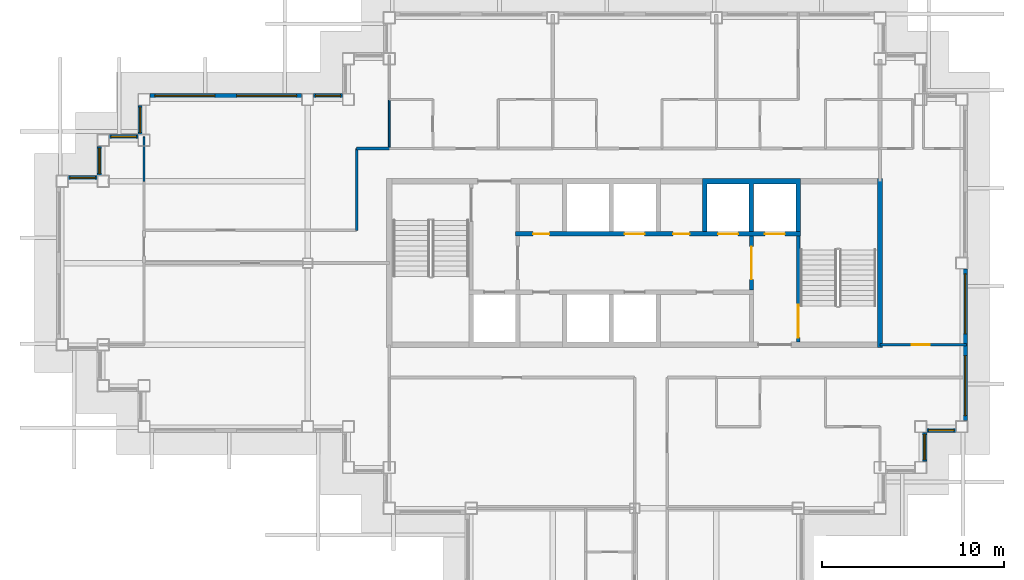
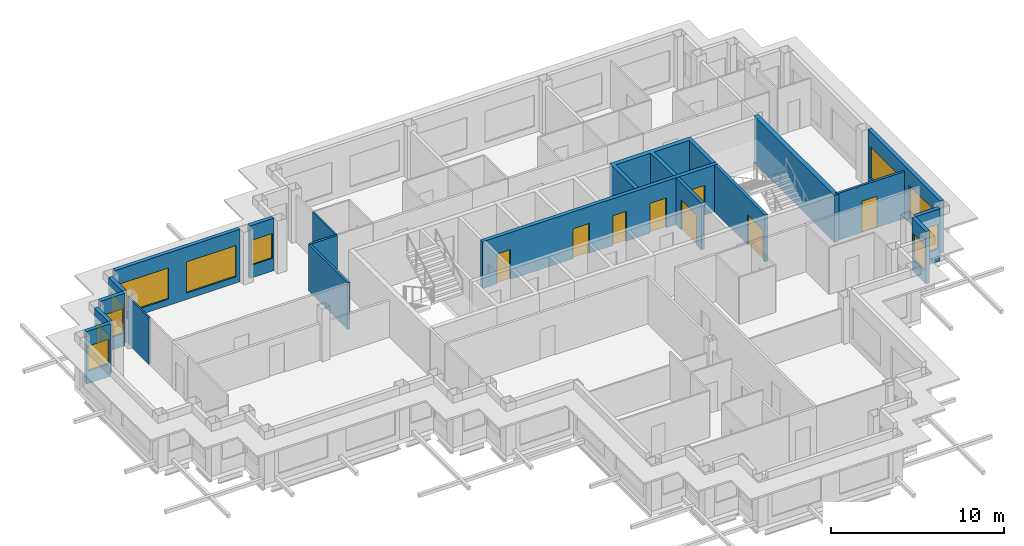
# One storey, part 5 of 11: 19 walls, 11 windows, 8 doors, 19 openings.
"""IFC4 building model written with IfcOpenShell, lengths in metres."""

from ifc_helpers import new_model, si_unit, direction, frame, frame_2d, origin, place, context, subcontext, project, spatial, polyline, rectangle, outline, extrude, material, layer, layer_set, type_object, element, fill, save


model = new_model("IFC4")

# Units and contexts
model_context = context("Model", 3, precision=1e-05, world=origin(), true_north=direction((0.0, 1.0)))
body_context = subcontext(model_context, "Body", "Model", "MODEL_VIEW")
ifc_project = project(units=[si_unit("LENGTHUNIT", "METRE"), si_unit("AREAUNIT", "SQUARE_METRE"), si_unit("VOLUMEUNIT", "CUBIC_METRE"), si_unit("PLANEANGLEUNIT", "RADIAN"), si_unit("MASSUNIT", "GRAM", prefix="KILO")], contexts=[model_context])

# Site, building, storey
site_placement = place(None, origin())
site = spatial("IfcSite", under=ifc_project, at=site_placement, CompositionType="ELEMENT")
building_placement = place(site_placement, origin())
building = spatial("IfcBuilding", under=site, at=building_placement, Name="Caravel Reach Hotel and Residences", CompositionType="ELEMENT")
storey_placement = place(building_placement, frame((0.0, 0.0, 229.39990234375)))
storey = spatial("IfcBuildingStorey", under=building, at=storey_placement, Name="L58", CompositionType="ELEMENT", Elevation=229.39990234375)

# Walls
ifc_material_1 = material(Name="Gypsum board on steel stud", Category="steel")
ifc_layer_1 = layer(ifc_material_1, 0.10009765625)
ifc_layer_set_1 = layer_set([ifc_layer_1], Name="Bathroom pod wall 100 mm")
wall_type_1 = type_object("IfcWallType", Name="Bathroom pod wall 100 mm", PredefinedType="PARTITIONING", material=ifc_layer_set_1)
wall_1_placement = place(storey_placement, frame((18.0, 33.301025390625, 0.0), z_axis=(0.0, 0.0, 1.0), x_axis=(0.0, 1.0, 0.0)))
element("IfcWall", 1, at=wall_1_placement, inside=storey, type_object=wall_type_1, Name="L58 wall w073", PredefinedType="PARTITIONING", context=body_context, shape_type="SweptSolid", body=[
    extrude(rectangle(XDim=2.698974609375, YDim=0.10009765625, at=frame_2d((1.349609375, 0.0))), origin(), (0.0, 0.0, 1.0), 3.300048828125),
])
ifc_material_2 = material(Name="Concrete C60", Category="concrete")
ifc_layer_2 = layer(ifc_material_2, 0.300048828125)
ifc_layer_set_2 = layer_set([ifc_layer_2], Name="Core wall 300 mm EI 120")
wall_type_2 = type_object("IfcWallType", Name="Core wall 300 mm EI 120", PredefinedType="SHEAR", material=ifc_layer_set_2)
wall_2_placement = place(storey_placement, frame((45.0, 22.35009765625, 0.0), z_axis=(0.0, 0.0, 1.0), x_axis=(0.0, 1.0, 0.0)))
element("IfcWall", 2, at=wall_2_placement, inside=storey, type_object=wall_type_2, Name="L58 core wall E", PredefinedType="SHEAR", context=body_context, shape_type="SweptSolid", body=[
    extrude(rectangle(XDim=9.2998046875, YDim=0.300048828125, at=frame_2d((4.64990234375, 0.0))), origin(), (0.0, 0.0, 1.0), 3.300048828125),
])

# Wall, opening, door
ifc_material_3 = material(Name="Gypsum board on steel stud, fire-rated", Category="steel")
ifc_layer_3 = layer(ifc_material_3, 0.14990234375)
ifc_layer_set_3 = layer_set([ifc_layer_3], Name="Corridor wall 150 mm EI 60")
wall_type_3 = type_object("IfcWallType", Name="Corridor wall 150 mm EI 60", PredefinedType="PARTITIONING", material=ifc_layer_set_3)
wall_3_placement = place(storey_placement, frame((45.0, 22.5, 0.0), z_axis=(0.0, 0.0, 1.0), x_axis=(1.0, 0.0, 0.0)))
wall_3 = element("IfcWall", 3, at=wall_3_placement, inside=storey, type_object=wall_type_3, Name="L58 wall w006", PredefinedType="PARTITIONING", context=body_context, shape_type="SweptSolid", body=[
    extrude(rectangle(XDim=4.764892578125, YDim=0.14990234375, at=frame_2d((2.38232421875, 0.0))), origin(), (0.0, 0.0, 1.0), 3.300048828125),
])
opening_1_placement = place(wall_3_placement, frame((1.75, 0.0, 0.0)))
opening_1 = element("IfcOpeningElement", 4, at=opening_1_placement, cuts=wall_3, Name="Opening D58-038", PredefinedType="OPENING", context=body_context, shape_type="SweptSolid", body=[
    extrude(rectangle(XDim=1.0, YDim=2.199951171875, at=frame_2d((0.5, 1.10009765625))), frame((0.0, 0.0849609375, 0.0), z_axis=(0.0, -1.0, 0.0), x_axis=(1.0, 0.0, 0.0)), (0.0, 0.0, 1.0), 0.169921875),
])
ifc_material_4 = material(Name="Steel fire door leaf", Category="steel")
door_type_1 = type_object("IfcDoorType", Name="Flat entrance door 1000 x 2200 EI 60", OperationType="SINGLE_SWING_LEFT", PredefinedType="DOOR", material=ifc_material_4)
door_1_placement = place(opening_1_placement, origin())
door_1 = element("IfcDoor", 5, at=door_1_placement, inside=storey, type_object=door_type_1, Name="door D58-038", OperationType="SINGLE_SWING_LEFT", OverallHeight=2.199951171875, OverallWidth=1.0, PredefinedType="DOOR", context=body_context, shape_type="SweptSolid", body=[
    extrude(rectangle(XDim=1.0, YDim=2.199951171875, at=frame_2d((0.5, 1.10009765625))), frame((0.0, 0.02490234375, 0.0), z_axis=(0.0, -1.0, 0.0), x_axis=(1.0, 0.0, 0.0)), (0.0, 0.0, 1.0), 0.050048828125),
])
fill(opening_1, door_1)

# Walls
wall_4_placement = place(storey_placement, frame((16.199951171875, 33.300048828125, 0.0), z_axis=(0.0, 0.0, 1.0), x_axis=(1.0, 0.0, 0.0)))
element("IfcWall", 6, at=wall_4_placement, inside=storey, type_object=wall_type_3, Name="L58 wall w016", PredefinedType="PARTITIONING", context=body_context, shape_type="SweptSolid", body=[
    extrude(rectangle(XDim=1.799072265625, YDim=0.14990234375, at=frame_2d((0.8994140625, 0.0))), origin(), (0.0, 0.0, 1.0), 3.300048828125),
])
wall_5_placement = place(storey_placement, frame((16.199951171875, 28.801025390625, 0.0), z_axis=(0.0, 0.0, 1.0), x_axis=(0.0, 1.0, 0.0)))
element("IfcWall", 7, at=wall_5_placement, inside=storey, type_object=wall_type_3, Name="L58 wall w018", PredefinedType="PARTITIONING", context=body_context, shape_type="SweptSolid", body=[
    extrude(rectangle(XDim=4.4990234375, YDim=0.14990234375, at=frame_2d((2.24951171875, 0.0))), origin(), (0.0, 0.0, 1.0), 3.300048828125),
])

# Wall, opening, window
ifc_material_5 = material(Name="Insulated rainscreen wall, aluminium cladding", Category="aluminium")
ifc_layer_4 = layer(ifc_material_5, 0.25)
ifc_layer_set_4 = layer_set([ifc_layer_4], Name="EW1 Tower rainscreen wall")
wall_type_4 = type_object("IfcWallType", Name="EW1 Tower rainscreen wall", PredefinedType="SOLIDWALL", material=ifc_layer_set_4)
wall_6_placement = place(storey_placement, frame((47.449951171875, 16.074951171875, 0.0), z_axis=(0.0, 0.0, 1.0), x_axis=(0.0, 1.0, 0.0)))
wall_6 = element("IfcWall", 8, at=wall_6_placement, inside=storey, type_object=wall_type_4, Name="External wall L58 E4.1", PredefinedType="SOLIDWALL", context=body_context, shape_type="SweptSolid", body=[
    extrude(rectangle(XDim=1.60009765625, YDim=0.25, at=frame_2d((0.800048828125, 0.0))), origin(), (0.0, 0.0, 1.0), 3.7001953125),
])
opening_2_placement = place(wall_6_placement, frame((0.10009765625, 0.0, 0.89990234375)))
opening_2 = element("IfcOpeningElement", 9, at=opening_2_placement, cuts=wall_6, Name="Opening WN24", PredefinedType="OPENING", context=body_context, shape_type="SweptSolid", body=[
    extrude(rectangle(XDim=1.39990234375, YDim=1.75, at=frame_2d((0.699951171875, 0.875))), frame((0.0, 0.135009765625, 0.0), z_axis=(0.0, -1.0, 0.0), x_axis=(1.0, 0.0, 0.0)), (0.0, 0.0, 1.0), 0.27001953125),
])
ifc_material_6 = material(Name="Dark low-e glazing in black aluminium frame", Category="aluminium")
window_type_1 = type_object("IfcWindowType", Name="Residence bedroom window 1400 x 1750", PartitioningType="SINGLE_PANEL", PredefinedType="WINDOW", material=ifc_material_6)
window_1_placement = place(opening_2_placement, origin())
window_1 = element("IfcWindow", 10, at=window_1_placement, inside=storey, type_object=window_type_1, Name="Window L58 E4.1.1", OverallHeight=1.75, OverallWidth=1.39990234375, PartitioningType="SINGLE_PANEL", PredefinedType="WINDOW", context=body_context, shape_type="SweptSolid", body=[
    extrude(rectangle(XDim=1.39990234375, YDim=1.75, at=frame_2d((0.699951171875, 0.875))), frame((0.0, 0.030029296875, 0.0), z_axis=(0.0, -1.0, 0.0), x_axis=(1.0, 0.0, 0.0)), (0.0, 0.0, 1.0), 0.06005859375),
])
fill(opening_2, window_1)

wall_7_placement = place(storey_placement, frame((47.574951171875, 17.800048828125, 0.0), z_axis=(0.0, 0.0, 1.0), x_axis=(1.0, 0.0, 0.0)))
wall_7 = element("IfcWall", 11, at=wall_7_placement, inside=storey, type_object=wall_type_4, Name="External wall L58 S5.1", PredefinedType="SOLIDWALL", context=body_context, shape_type="SweptSolid", body=[
    extrude(rectangle(XDim=1.60009765625, YDim=0.25, at=frame_2d((0.800048828125, 0.0))), origin(), (0.0, 0.0, 1.0), 3.7001953125),
])
opening_3_placement = place(wall_7_placement, frame((0.10009765625, 0.0, 0.89990234375)))
opening_3 = element("IfcOpeningElement", 12, at=opening_3_placement, cuts=wall_7, Name="Opening WN24", PredefinedType="OPENING", context=body_context, shape_type="SweptSolid", body=[
    extrude(rectangle(XDim=1.39990234375, YDim=1.75, at=frame_2d((0.699951171875, 0.875))), frame((0.0, 0.135009765625, 0.0), z_axis=(0.0, -1.0, 0.0), x_axis=(1.0, 0.0, 0.0)), (0.0, 0.0, 1.0), 0.27001953125),
])
window_2_placement = place(opening_3_placement, origin())
window_2 = element("IfcWindow", 13, at=window_2_placement, inside=storey, type_object=window_type_1, Name="Window L58 S5.1.1", OverallHeight=1.75, OverallWidth=1.39990234375, PartitioningType="SINGLE_PANEL", PredefinedType="WINDOW", context=body_context, shape_type="SweptSolid", body=[
    extrude(rectangle(XDim=1.39990234375, YDim=1.75, at=frame_2d((0.699951171875, 0.875))), frame((0.0, 0.030029296875, 0.0), z_axis=(0.0, -1.0, 0.0), x_axis=(1.0, 0.0, 0.0)), (0.0, 0.0, 1.0), 0.06005859375),
])
fill(opening_3, window_2)

# Wall, openings, windows
wall_8_placement = place(storey_placement, frame((49.699951171875, 18.324951171875, 0.0), z_axis=(0.0, 0.0, 1.0), x_axis=(0.0, 1.0, 0.0)))
wall_8 = element("IfcWall", 14, at=wall_8_placement, inside=storey, type_object=wall_type_4, Name="External wall L58 E6.1", PredefinedType="SOLIDWALL", context=body_context, shape_type="SweptSolid", body=[
    extrude(rectangle(XDim=8.35009765625, YDim=0.25, at=frame_2d((4.175048828125, 0.0))), origin(), (0.0, 0.0, 1.0), 3.7001953125),
])
opening_4_placement = place(wall_8_placement, frame((0.27490234375, 0.0, 0.449951171875)))
opening_4 = element("IfcOpeningElement", 15, at=opening_4_placement, cuts=wall_8, Name="Opening WN19", PredefinedType="OPENING", context=body_context, shape_type="SweptSolid", body=[
    extrude(rectangle(XDim=3.300048828125, YDim=2.199951171875, at=frame_2d((1.64990234375, 1.10009765625))), frame((0.0, 0.135009765625, 0.0), z_axis=(0.0, -1.0, 0.0), x_axis=(1.0, 0.0, 0.0)), (0.0, 0.0, 1.0), 0.27001953125),
])
opening_5_placement = place(wall_8_placement, frame((4.77490234375, 0.0, 0.449951171875)))
opening_5 = element("IfcOpeningElement", 16, at=opening_5_placement, cuts=wall_8, Name="Opening WN19", PredefinedType="OPENING", context=body_context, shape_type="SweptSolid", body=[
    extrude(rectangle(XDim=3.300048828125, YDim=2.199951171875, at=frame_2d((1.64990234375, 1.10009765625))), frame((0.0, 0.135009765625, 0.0), z_axis=(0.0, -1.0, 0.0), x_axis=(1.0, 0.0, 0.0)), (0.0, 0.0, 1.0), 0.27001953125),
])
ifc_material_7 = material(Name="Dark low-e glazing in black aluminium frame", Category="aluminium")
window_type_2 = type_object("IfcWindowType", Name="Residence living window 3300 x 2200", PartitioningType="SINGLE_PANEL", PredefinedType="WINDOW", material=ifc_material_7)
window_3_placement = place(opening_4_placement, origin())
window_3 = element("IfcWindow", 17, at=window_3_placement, inside=storey, type_object=window_type_2, Name="Window L58 E6.1.1", OverallHeight=2.199951171875, OverallWidth=3.300048828125, PartitioningType="SINGLE_PANEL", PredefinedType="WINDOW", context=body_context, shape_type="SweptSolid", body=[
    extrude(rectangle(XDim=3.300048828125, YDim=2.199951171875, at=frame_2d((1.64990234375, 1.10009765625))), frame((0.0, 0.030029296875, 0.0), z_axis=(0.0, -1.0, 0.0), x_axis=(1.0, 0.0, 0.0)), (0.0, 0.0, 1.0), 0.06005859375),
])
fill(opening_4, window_3)
window_4_placement = place(opening_5_placement, origin())
window_4 = element("IfcWindow", 18, at=window_4_placement, inside=storey, type_object=window_type_2, Name="Window L58 E6.1.2", OverallHeight=2.199951171875, OverallWidth=3.300048828125, PartitioningType="SINGLE_PANEL", PredefinedType="WINDOW", context=body_context, shape_type="SweptSolid", body=[
    extrude(rectangle(XDim=3.300048828125, YDim=2.199951171875, at=frame_2d((1.64990234375, 1.10009765625))), frame((0.0, 0.030029296875, 0.0), z_axis=(0.0, -1.0, 0.0), x_axis=(1.0, 0.0, 0.0)), (0.0, 0.0, 1.0), 0.06005859375),
])
fill(opening_5, window_4)

# Wall, opening, window
wall_9_placement = place(storey_placement, frame((15.425048828125, 36.199951171875, 0.0), z_axis=(0.0, 0.0, 1.0), x_axis=(-1.0, 0.0, 0.0)))
wall_9 = element("IfcWall", 19, at=wall_9_placement, inside=storey, type_object=wall_type_4, Name="External wall L58 N15.1", PredefinedType="SOLIDWALL", context=body_context, shape_type="SweptSolid", body=[
    extrude(rectangle(XDim=1.60009765625, YDim=0.25, at=frame_2d((0.800048828125, 0.0))), origin(), (0.0, 0.0, 1.0), 3.7001953125),
])
opening_6_placement = place(wall_9_placement, frame((0.10009765625, 0.0, 0.89990234375)))
opening_6 = element("IfcOpeningElement", 20, at=opening_6_placement, cuts=wall_9, Name="Opening WN24", PredefinedType="OPENING", context=body_context, shape_type="SweptSolid", body=[
    extrude(rectangle(XDim=1.39990234375, YDim=1.75, at=frame_2d((0.699951171875, 0.875))), frame((0.0, 0.135009765625, 0.0), z_axis=(0.0, -1.0, 0.0), x_axis=(1.0, 0.0, 0.0)), (0.0, 0.0, 1.0), 0.27001953125),
])
window_5_placement = place(opening_6_placement, origin())
window_5 = element("IfcWindow", 21, at=window_5_placement, inside=storey, type_object=window_type_1, Name="Window L58 N15.1.1", OverallHeight=1.75, OverallWidth=1.39990234375, PartitioningType="SINGLE_PANEL", PredefinedType="WINDOW", context=body_context, shape_type="SweptSolid", body=[
    extrude(rectangle(XDim=1.39990234375, YDim=1.75, at=frame_2d((0.699951171875, 0.875))), frame((0.0, 0.030029296875, 0.0), z_axis=(0.0, -1.0, 0.0), x_axis=(1.0, 0.0, 0.0)), (0.0, 0.0, 1.0), 0.06005859375),
])
fill(opening_6, window_5)

# Wall, openings, windows
wall_10_placement = place(storey_placement, frame((13.175048828125, 36.199951171875, 0.0), z_axis=(0.0, 0.0, 1.0), x_axis=(-1.0, 0.0, 0.0)))
wall_10 = element("IfcWall", 22, at=wall_10_placement, inside=storey, type_object=wall_type_4, Name="External wall L58 N15.2", PredefinedType="SOLIDWALL", context=body_context, shape_type="SweptSolid", body=[
    extrude(rectangle(XDim=8.35009765625, YDim=0.25, at=frame_2d((4.175048828125, 0.0))), origin(), (0.0, 0.0, 1.0), 3.7001953125),
])
opening_7_placement = place(wall_10_placement, frame((0.27490234375, 0.0, 0.449951171875)))
opening_7 = element("IfcOpeningElement", 23, at=opening_7_placement, cuts=wall_10, Name="Opening WN19", PredefinedType="OPENING", context=body_context, shape_type="SweptSolid", body=[
    extrude(rectangle(XDim=3.300048828125, YDim=2.199951171875, at=frame_2d((1.64990234375, 1.10009765625))), frame((0.0, 0.135009765625, 0.0), z_axis=(0.0, -1.0, 0.0), x_axis=(1.0, 0.0, 0.0)), (0.0, 0.0, 1.0), 0.27001953125),
])
opening_8_placement = place(wall_10_placement, frame((4.77490234375, 0.0, 0.449951171875)))
opening_8 = element("IfcOpeningElement", 24, at=opening_8_placement, cuts=wall_10, Name="Opening WN19", PredefinedType="OPENING", context=body_context, shape_type="SweptSolid", body=[
    extrude(rectangle(XDim=3.300048828125, YDim=2.199951171875, at=frame_2d((1.64990234375, 1.10009765625))), frame((0.0, 0.135009765625, 0.0), z_axis=(0.0, -1.0, 0.0), x_axis=(1.0, 0.0, 0.0)), (0.0, 0.0, 1.0), 0.27001953125),
])
window_6_placement = place(opening_7_placement, origin())
window_6 = element("IfcWindow", 25, at=window_6_placement, inside=storey, type_object=window_type_2, Name="Window L58 N15.2.1", OverallHeight=2.199951171875, OverallWidth=3.300048828125, PartitioningType="SINGLE_PANEL", PredefinedType="WINDOW", context=body_context, shape_type="SweptSolid", body=[
    extrude(rectangle(XDim=3.300048828125, YDim=2.199951171875, at=frame_2d((1.64990234375, 1.10009765625))), frame((0.0, 0.030029296875, 0.0), z_axis=(0.0, -1.0, 0.0), x_axis=(1.0, 0.0, 0.0)), (0.0, 0.0, 1.0), 0.06005859375),
])
fill(opening_7, window_6)
window_7_placement = place(opening_8_placement, origin())
window_7 = element("IfcWindow", 26, at=window_7_placement, inside=storey, type_object=window_type_2, Name="Window L58 N15.2.2", OverallHeight=2.199951171875, OverallWidth=3.300048828125, PartitioningType="SINGLE_PANEL", PredefinedType="WINDOW", context=body_context, shape_type="SweptSolid", body=[
    extrude(rectangle(XDim=3.300048828125, YDim=2.199951171875, at=frame_2d((1.64990234375, 1.10009765625))), frame((0.0, 0.030029296875, 0.0), z_axis=(0.0, -1.0, 0.0), x_axis=(1.0, 0.0, 0.0)), (0.0, 0.0, 1.0), 0.06005859375),
])
fill(opening_8, window_7)

# Wall, opening, window
wall_11_placement = place(storey_placement, frame((4.300048828125, 35.675048828125, 0.0), z_axis=(0.0, 0.0, 1.0), x_axis=(0.0, -1.0, 0.0)))
wall_11 = element("IfcWall", 27, at=wall_11_placement, inside=storey, type_object=wall_type_4, Name="External wall L58 W16.1", PredefinedType="SOLIDWALL", context=body_context, shape_type="SweptSolid", body=[
    extrude(rectangle(XDim=1.60009765625, YDim=0.25, at=frame_2d((0.800048828125, 0.0))), origin(), (0.0, 0.0, 1.0), 3.7001953125),
])
opening_9_placement = place(wall_11_placement, frame((0.10009765625, 0.0, 0.89990234375)))
opening_9 = element("IfcOpeningElement", 28, at=opening_9_placement, cuts=wall_11, Name="Opening WN24", PredefinedType="OPENING", context=body_context, shape_type="SweptSolid", body=[
    extrude(rectangle(XDim=1.39990234375, YDim=1.75, at=frame_2d((0.699951171875, 0.875))), frame((0.0, 0.135009765625, 0.0), z_axis=(0.0, -1.0, 0.0), x_axis=(1.0, 0.0, 0.0)), (0.0, 0.0, 1.0), 0.27001953125),
])
window_8_placement = place(opening_9_placement, origin())
window_8 = element("IfcWindow", 29, at=window_8_placement, inside=storey, type_object=window_type_1, Name="Window L58 W16.1.1", OverallHeight=1.75, OverallWidth=1.39990234375, PartitioningType="SINGLE_PANEL", PredefinedType="WINDOW", context=body_context, shape_type="SweptSolid", body=[
    extrude(rectangle(XDim=1.39990234375, YDim=1.75, at=frame_2d((0.699951171875, 0.875))), frame((0.0, 0.030029296875, 0.0), z_axis=(0.0, -1.0, 0.0), x_axis=(1.0, 0.0, 0.0)), (0.0, 0.0, 1.0), 0.06005859375),
])
fill(opening_9, window_8)

wall_12_placement = place(storey_placement, frame((4.175048828125, 33.949951171875, 0.0), z_axis=(0.0, 0.0, 1.0), x_axis=(-1.0, 0.0, 0.0)))
wall_12 = element("IfcWall", 30, at=wall_12_placement, inside=storey, type_object=wall_type_4, Name="External wall L58 N17.1", PredefinedType="SOLIDWALL", context=body_context, shape_type="SweptSolid", body=[
    extrude(rectangle(XDim=1.60009765625, YDim=0.25, at=frame_2d((0.800048828125, 0.0))), origin(), (0.0, 0.0, 1.0), 3.7001953125),
])
opening_10_placement = place(wall_12_placement, frame((0.10009765625, 0.0, 0.89990234375)))
opening_10 = element("IfcOpeningElement", 31, at=opening_10_placement, cuts=wall_12, Name="Opening WN24", PredefinedType="OPENING", context=body_context, shape_type="SweptSolid", body=[
    extrude(rectangle(XDim=1.39990234375, YDim=1.75, at=frame_2d((0.699951171875, 0.875))), frame((0.0, 0.135009765625, 0.0), z_axis=(0.0, -1.0, 0.0), x_axis=(1.0, 0.0, 0.0)), (0.0, 0.0, 1.0), 0.27001953125),
])
window_9_placement = place(opening_10_placement, origin())
window_9 = element("IfcWindow", 32, at=window_9_placement, inside=storey, type_object=window_type_1, Name="Window L58 N17.1.1", OverallHeight=1.75, OverallWidth=1.39990234375, PartitioningType="SINGLE_PANEL", PredefinedType="WINDOW", context=body_context, shape_type="SweptSolid", body=[
    extrude(rectangle(XDim=1.39990234375, YDim=1.75, at=frame_2d((0.699951171875, 0.875))), frame((0.0, 0.030029296875, 0.0), z_axis=(0.0, -1.0, 0.0), x_axis=(1.0, 0.0, 0.0)), (0.0, 0.0, 1.0), 0.06005859375),
])
fill(opening_10, window_9)

wall_13_placement = place(storey_placement, frame((2.050048828125, 33.425048828125, 0.0), z_axis=(0.0, 0.0, 1.0), x_axis=(0.0, -1.0, 0.0)))
wall_13 = element("IfcWall", 33, at=wall_13_placement, inside=storey, type_object=wall_type_4, Name="External wall L58 W18.1", PredefinedType="SOLIDWALL", context=body_context, shape_type="SweptSolid", body=[
    extrude(rectangle(XDim=1.60009765625, YDim=0.25, at=frame_2d((0.800048828125, 0.0))), origin(), (0.0, 0.0, 1.0), 3.7001953125),
])
opening_11_placement = place(wall_13_placement, frame((0.10009765625, 0.0, 0.89990234375)))
opening_11 = element("IfcOpeningElement", 34, at=opening_11_placement, cuts=wall_13, Name="Opening WN24", PredefinedType="OPENING", context=body_context, shape_type="SweptSolid", body=[
    extrude(rectangle(XDim=1.39990234375, YDim=1.75, at=frame_2d((0.699951171875, 0.875))), frame((0.0, 0.135009765625, 0.0), z_axis=(0.0, -1.0, 0.0), x_axis=(1.0, 0.0, 0.0)), (0.0, 0.0, 1.0), 0.27001953125),
])
window_10_placement = place(opening_11_placement, origin())
window_10 = element("IfcWindow", 35, at=window_10_placement, inside=storey, type_object=window_type_1, Name="Window L58 W18.1.1", OverallHeight=1.75, OverallWidth=1.39990234375, PartitioningType="SINGLE_PANEL", PredefinedType="WINDOW", context=body_context, shape_type="SweptSolid", body=[
    extrude(rectangle(XDim=1.39990234375, YDim=1.75, at=frame_2d((0.699951171875, 0.875))), frame((0.0, 0.030029296875, 0.0), z_axis=(0.0, -1.0, 0.0), x_axis=(1.0, 0.0, 0.0)), (0.0, 0.0, 1.0), 0.06005859375),
])
fill(opening_11, window_10)

wall_14_placement = place(storey_placement, frame((1.925048828125, 31.699951171875, 0.0), z_axis=(0.0, 0.0, 1.0), x_axis=(-1.0, 0.0, 0.0)))
wall_14 = element("IfcWall", 36, at=wall_14_placement, inside=storey, type_object=wall_type_4, Name="External wall L58 N19.1", PredefinedType="SOLIDWALL", context=body_context, shape_type="SweptSolid", body=[
    extrude(rectangle(XDim=1.60009765625, YDim=0.25, at=frame_2d((0.800048828125, 0.0))), origin(), (0.0, 0.0, 1.0), 3.7001953125),
])
opening_12_placement = place(wall_14_placement, frame((0.10009765625, 0.0, 0.89990234375)))
opening_12 = element("IfcOpeningElement", 37, at=opening_12_placement, cuts=wall_14, Name="Opening WN24", PredefinedType="OPENING", context=body_context, shape_type="SweptSolid", body=[
    extrude(rectangle(XDim=1.39990234375, YDim=1.75, at=frame_2d((0.699951171875, 0.875))), frame((0.0, 0.135009765625, 0.0), z_axis=(0.0, -1.0, 0.0), x_axis=(1.0, 0.0, 0.0)), (0.0, 0.0, 1.0), 0.27001953125),
])
window_11_placement = place(opening_12_placement, origin())
window_11 = element("IfcWindow", 38, at=window_11_placement, inside=storey, type_object=window_type_1, Name="Window L58 N19.1.1", OverallHeight=1.75, OverallWidth=1.39990234375, PartitioningType="SINGLE_PANEL", PredefinedType="WINDOW", context=body_context, shape_type="SweptSolid", body=[
    extrude(rectangle(XDim=1.39990234375, YDim=1.75, at=frame_2d((0.699951171875, 0.875))), frame((0.0, 0.030029296875, 0.0), z_axis=(0.0, -1.0, 0.0), x_axis=(1.0, 0.0, 0.0)), (0.0, 0.0, 1.0), 0.06005859375),
])
fill(opening_12, window_11)

# Wall, opening, door
ifc_material_8 = material(Name="Autoclaved aerated block wall")
ifc_layer_5 = layer(ifc_material_8, 0.199951171875)
ifc_layer_set_5 = layer_set([ifc_layer_5], Name="Fire lobby wall 200 mm EI 120")
wall_type_5 = type_object("IfcWallType", Name="Fire lobby wall 200 mm EI 120", PredefinedType="PARTITIONING", material=ifc_layer_set_5)
wall_15_placement = place(storey_placement, frame((37.928466796875, 25.52490234375, 0.0), z_axis=(0.0, 0.0, 1.0), x_axis=(0.0, 1.0, 0.0)))
wall_15 = element("IfcWall", 39, at=wall_15_placement, inside=storey, type_object=wall_type_5, Name="L58 lobby E wall", PredefinedType="PARTITIONING", context=body_context, shape_type="SweptSolid", body=[
    extrude(rectangle(XDim=2.9501953125, YDim=0.199951171875, at=frame_2d((1.47509765625, 0.0))), origin(), (0.0, 0.0, 1.0), 3.300048828125),
])
opening_13_placement = place(wall_15_placement, frame((0.574951171875, 0.0, 0.0)))
opening_13 = element("IfcOpeningElement", 40, at=opening_13_placement, cuts=wall_15, Name="Opening D58-013", PredefinedType="OPENING", context=body_context, shape_type="SweptSolid", body=[
    extrude(rectangle(XDim=1.800048828125, YDim=2.10009765625, at=frame_2d((0.89990234375, 1.050048828125))), frame((0.0, 0.10986328125, 0.0), z_axis=(0.0, -1.0, 0.0), x_axis=(1.0, 0.0, 0.0)), (0.0, 0.0, 1.0), 0.219970703125),
])
ifc_material_9 = material(Name="Steel fire door leaf", Category="steel")
door_type_2 = type_object("IfcDoorType", Name="Fire lobby door pair 1800 x 2100 EI 90", OperationType="DOUBLE_DOOR_SINGLE_SWING", PredefinedType="DOOR", material=ifc_material_9)
door_2_placement = place(opening_13_placement, origin())
door_2 = element("IfcDoor", 41, at=door_2_placement, inside=storey, type_object=door_type_2, Name="lobby E door pair", OperationType="DOUBLE_DOOR_SINGLE_SWING", OverallHeight=2.10009765625, OverallWidth=1.800048828125, PredefinedType="DOOR", context=body_context, shape_type="SweptSolid", body=[
    extrude(rectangle(XDim=1.800048828125, YDim=2.10009765625, at=frame_2d((0.89990234375, 1.050048828125))), frame((0.0, 0.02490234375, 0.0), z_axis=(0.0, -1.0, 0.0), x_axis=(1.0, 0.0, 0.0)), (0.0, 0.0, 1.0), 0.050048828125),
])
fill(opening_13, door_2)

# Walls
ifc_material_10 = material(Name="Gypsum board on steel stud", Category="steel")
ifc_layer_6 = layer(ifc_material_10, 0.10009765625)
ifc_layer_set_6 = layer_set([ifc_layer_6], Name="Partition 100 mm")
wall_type_6 = type_object("IfcWallType", Name="Partition 100 mm", PredefinedType="PARTITIONING", material=ifc_layer_set_6)
wall_16_placement = place(storey_placement, frame((4.5, 31.5009765625, 0.0), z_axis=(0.0, 0.0, 1.0), x_axis=(0.0, 1.0, 0.0)))
element("IfcWall", 42, at=wall_16_placement, inside=storey, type_object=wall_type_6, Name="L58 wall w051", PredefinedType="PARTITIONING", context=body_context, shape_type="SweptSolid", body=[
    extrude(rectangle(XDim=2.43896484375, YDim=0.10009765625, at=frame_2d((1.219482421875, 0.0))), origin(), (0.0, 0.0, 1.0), 3.300048828125),
])
ifc_material_11 = material(Name="Concrete C60", Category="concrete")
ifc_layer_7 = layer(ifc_material_11, 0.25)
ifc_layer_set_7 = layer_set([ifc_layer_7], Name="Shaft wall 250 mm EI 120")
wall_type_7 = type_object("IfcWallType", Name="Shaft wall 250 mm EI 120", PredefinedType="SHEAR", material=ifc_layer_set_7)
wall_17_placement = place(storey_placement, origin())
element("IfcWall", 43, at=wall_17_placement, inside=storey, type_object=wall_type_7, Name="L58 lift shaft wall N2", PredefinedType="SHEAR", context=body_context, shape_type="SweptSolid", body=[
    extrude(outline(polyline([(35.232177734375, 28.72509765625), (35.482177734375, 28.72509765625), (35.482177734375, 31.35009765625), (37.803466796875, 31.35009765625), (37.803466796875, 28.72509765625), (38.053466796875, 28.72509765625), (38.053466796875, 31.35009765625), (40.375, 31.35009765625), (40.375, 28.72509765625), (40.625, 28.72509765625), (40.625, 31.64990234375), (35.232177734375, 31.64990234375), (35.232177734375, 28.72509765625)])), origin(), (0.0, 0.0, 1.0), 3.300048828125),
])

# Wall, openings, doors
wall_18_placement = place(storey_placement, frame((24.946533203125, 28.60009765625, 0.0), z_axis=(0.0, 0.0, 1.0), x_axis=(1.0, 0.0, 0.0)))
wall_18 = element("IfcWall", 44, at=wall_18_placement, inside=storey, type_object=wall_type_7, Name="L58 lobby wall N1", PredefinedType="SHEAR", context=body_context, shape_type="SweptSolid", body=[
    extrude(rectangle(XDim=15.678466796875, YDim=0.25, at=frame_2d((7.83935546875, 0.0))), origin(), (0.0, 0.0, 1.0), 3.300048828125),
])
opening_14_placement = place(wall_18_placement, frame((6.003662109375, 0.0, 0.0)))
opening_14 = element("IfcOpeningElement", 45, at=opening_14_placement, cuts=wall_18, Name="Opening D58-002", PredefinedType="OPENING", context=body_context, shape_type="SweptSolid", body=[
    extrude(rectangle(XDim=1.10009765625, YDim=2.10009765625, at=frame_2d((0.550048828125, 1.050048828125))), frame((0.0, 0.135009765625, 0.0), z_axis=(0.0, -1.0, 0.0), x_axis=(1.0, 0.0, 0.0)), (0.0, 0.0, 1.0), 0.27001953125),
])
opening_15_placement = place(wall_18_placement, frame((11.146484375, 0.0, 0.0)))
opening_15 = element("IfcOpeningElement", 46, at=opening_15_placement, cuts=wall_18, Name="Opening D58-003", PredefinedType="OPENING", context=body_context, shape_type="SweptSolid", body=[
    extrude(rectangle(XDim=1.10009765625, YDim=2.10009765625, at=frame_2d((0.550048828125, 1.050048828125))), frame((0.0, 0.135009765625, 0.0), z_axis=(0.0, -1.0, 0.0), x_axis=(1.0, 0.0, 0.0)), (0.0, 0.0, 1.0), 0.27001953125),
])
opening_16_placement = place(wall_18_placement, frame((13.718017578125, 0.0, 0.0)))
opening_16 = element("IfcOpeningElement", 47, at=opening_16_placement, cuts=wall_18, Name="Opening D58-005", PredefinedType="OPENING", context=body_context, shape_type="SweptSolid", body=[
    extrude(rectangle(XDim=1.10009765625, YDim=2.10009765625, at=frame_2d((0.550048828125, 1.050048828125))), frame((0.0, 0.135009765625, 0.0), z_axis=(0.0, -1.0, 0.0), x_axis=(1.0, 0.0, 0.0)), (0.0, 0.0, 1.0), 0.27001953125),
])
opening_17_placement = place(wall_18_placement, frame((0.960693359375, 0.0, 0.0)))
opening_17 = element("IfcOpeningElement", 48, at=opening_17_placement, cuts=wall_18, Name="Opening D58-008", PredefinedType="OPENING", context=body_context, shape_type="SweptSolid", body=[
    extrude(rectangle(XDim=0.89990234375, YDim=2.10009765625, at=frame_2d((0.449951171875, 1.050048828125))), frame((0.0, 0.135009765625, 0.0), z_axis=(0.0, -1.0, 0.0), x_axis=(1.0, 0.0, 0.0)), (0.0, 0.0, 1.0), 0.27001953125),
])
opening_18_placement = place(wall_18_placement, frame((8.675048828125, 0.0, 0.0)))
opening_18 = element("IfcOpeningElement", 49, at=opening_18_placement, cuts=wall_18, Name="Opening D58-009", PredefinedType="OPENING", context=body_context, shape_type="SweptSolid", body=[
    extrude(rectangle(XDim=0.89990234375, YDim=2.10009765625, at=frame_2d((0.449951171875, 1.050048828125))), frame((0.0, 0.135009765625, 0.0), z_axis=(0.0, -1.0, 0.0), x_axis=(1.0, 0.0, 0.0)), (0.0, 0.0, 1.0), 0.27001953125),
])
ifc_material_12 = material(Name="Stainless steel landing door", Category="steel")
door_type_3 = type_object("IfcDoorType", Name="Landing door LD 1100 x 2100 sliding", OperationType="DOUBLE_DOOR_SLIDING", PredefinedType="DOOR", material=ifc_material_12)
door_3_placement = place(opening_14_placement, origin())
door_3 = element("IfcDoor", 50, at=door_3_placement, inside=storey, type_object=door_type_3, Name="MP2 landing door", OperationType="DOUBLE_DOOR_SLIDING", OverallHeight=2.10009765625, OverallWidth=1.10009765625, PredefinedType="DOOR", context=body_context, shape_type="SweptSolid", body=[
    extrude(rectangle(XDim=1.10009765625, YDim=2.10009765625, at=frame_2d((0.550048828125, 1.050048828125))), frame((0.0, 0.02490234375, 0.0), z_axis=(0.0, -1.0, 0.0), x_axis=(1.0, 0.0, 0.0)), (0.0, 0.0, 1.0), 0.050048828125),
])
fill(opening_14, door_3)
door_4_placement = place(opening_15_placement, origin())
door_4 = element("IfcDoor", 51, at=door_4_placement, inside=storey, type_object=door_type_3, Name="MP3 landing door", OperationType="DOUBLE_DOOR_SLIDING", OverallHeight=2.10009765625, OverallWidth=1.10009765625, PredefinedType="DOOR", context=body_context, shape_type="SweptSolid", body=[
    extrude(rectangle(XDim=1.10009765625, YDim=2.10009765625, at=frame_2d((0.550048828125, 1.050048828125))), frame((0.0, 0.02490234375, 0.0), z_axis=(0.0, -1.0, 0.0), x_axis=(1.0, 0.0, 0.0)), (0.0, 0.0, 1.0), 0.050048828125),
])
fill(opening_15, door_4)
door_5_placement = place(opening_16_placement, origin())
door_5 = element("IfcDoor", 52, at=door_5_placement, inside=storey, type_object=door_type_3, Name="FL2 landing door", OperationType="DOUBLE_DOOR_SLIDING", OverallHeight=2.10009765625, OverallWidth=1.10009765625, PredefinedType="DOOR", context=body_context, shape_type="SweptSolid", body=[
    extrude(rectangle(XDim=1.10009765625, YDim=2.10009765625, at=frame_2d((0.550048828125, 1.050048828125))), frame((0.0, 0.02490234375, 0.0), z_axis=(0.0, -1.0, 0.0), x_axis=(1.0, 0.0, 0.0)), (0.0, 0.0, 1.0), 0.050048828125),
])
fill(opening_16, door_5)
ifc_material_13 = material(Name="Steel fire door leaf", Category="steel")
door_type_4 = type_object("IfcDoorType", Name="Riser door 900 x 2100 EI 60", OperationType="SINGLE_SWING_LEFT", PredefinedType="DOOR", material=ifc_material_13)
door_6_placement = place(opening_17_placement, origin())
door_6 = element("IfcDoor", 53, at=door_6_placement, inside=storey, type_object=door_type_4, Name="Package store door", OperationType="SINGLE_SWING_LEFT", OverallHeight=2.10009765625, OverallWidth=0.89990234375, PredefinedType="DOOR", context=body_context, shape_type="SweptSolid", body=[
    extrude(rectangle(XDim=0.89990234375, YDim=2.10009765625, at=frame_2d((0.449951171875, 1.050048828125))), frame((0.0, 0.02490234375, 0.0), z_axis=(0.0, -1.0, 0.0), x_axis=(1.0, 0.0, 0.0)), (0.0, 0.0, 1.0), 0.050048828125),
])
fill(opening_17, door_6)
door_7_placement = place(opening_18_placement, origin())
door_7 = element("IfcDoor", 54, at=door_7_placement, inside=storey, type_object=door_type_4, Name="Water tank room door", OperationType="SINGLE_SWING_LEFT", OverallHeight=2.10009765625, OverallWidth=0.89990234375, PredefinedType="DOOR", context=body_context, shape_type="SweptSolid", body=[
    extrude(rectangle(XDim=0.89990234375, YDim=2.10009765625, at=frame_2d((0.449951171875, 1.050048828125))), frame((0.0, 0.02490234375, 0.0), z_axis=(0.0, -1.0, 0.0), x_axis=(1.0, 0.0, 0.0)), (0.0, 0.0, 1.0), 0.050048828125),
])
fill(opening_18, door_7)

# Wall, opening, door
ifc_material_14 = material(Name="Concrete C60", Category="concrete")
ifc_layer_8 = layer(ifc_material_14, 0.199951171875)
ifc_layer_set_8 = layer_set([ifc_layer_8], Name="Stair enclosure wall 200 mm EI 120")
wall_type_8 = type_object("IfcWallType", Name="Stair enclosure wall 200 mm EI 120", PredefinedType="SHEAR", material=ifc_layer_set_8)
wall_19_placement = place(storey_placement, frame((40.5, 22.64990234375, 0.0), z_axis=(0.0, 0.0, 1.0), x_axis=(0.0, 1.0, 0.0)))
wall_19 = element("IfcWall", 55, at=wall_19_placement, inside=storey, type_object=wall_type_8, Name="L58 stair B wall", PredefinedType="SHEAR", context=body_context, shape_type="SweptSolid", body=[
    extrude(rectangle(XDim=5.8251953125, YDim=0.199951171875, at=frame_2d((2.91259765625, 0.0))), origin(), (0.0, 0.0, 1.0), 3.300048828125),
])
opening_19_placement = place(wall_19_placement, frame((0.25, 0.0, 0.0)))
opening_19 = element("IfcOpeningElement", 56, at=opening_19_placement, cuts=wall_19, Name="Opening D58-011", PredefinedType="OPENING", context=body_context, shape_type="SweptSolid", body=[
    extrude(rectangle(XDim=1.800048828125, YDim=2.10009765625, at=frame_2d((0.89990234375, 1.050048828125))), frame((0.0, 0.10986328125, 0.0), z_axis=(0.0, -1.0, 0.0), x_axis=(1.0, 0.0, 0.0)), (0.0, 0.0, 1.0), 0.219970703125),
])
ifc_material_15 = material(Name="Steel fire door leaf", Category="steel")
door_type_5 = type_object("IfcDoorType", Name="Stair door pair 1800 x 2100 EI 90", OperationType="DOUBLE_DOOR_SINGLE_SWING", PredefinedType="DOOR", material=ifc_material_15)
door_8_placement = place(opening_19_placement, origin())
door_8 = element("IfcDoor", 57, at=door_8_placement, inside=storey, type_object=door_type_5, Name="stair B door pair", OperationType="DOUBLE_DOOR_SINGLE_SWING", OverallHeight=2.10009765625, OverallWidth=1.800048828125, PredefinedType="DOOR", context=body_context, shape_type="SweptSolid", body=[
    extrude(rectangle(XDim=1.800048828125, YDim=2.10009765625, at=frame_2d((0.89990234375, 1.050048828125))), frame((0.0, 0.02490234375, 0.0), z_axis=(0.0, -1.0, 0.0), x_axis=(1.0, 0.0, 0.0)), (0.0, 0.0, 1.0), 0.050048828125),
])
fill(opening_19, door_8)

save(model, "model.ifc")
